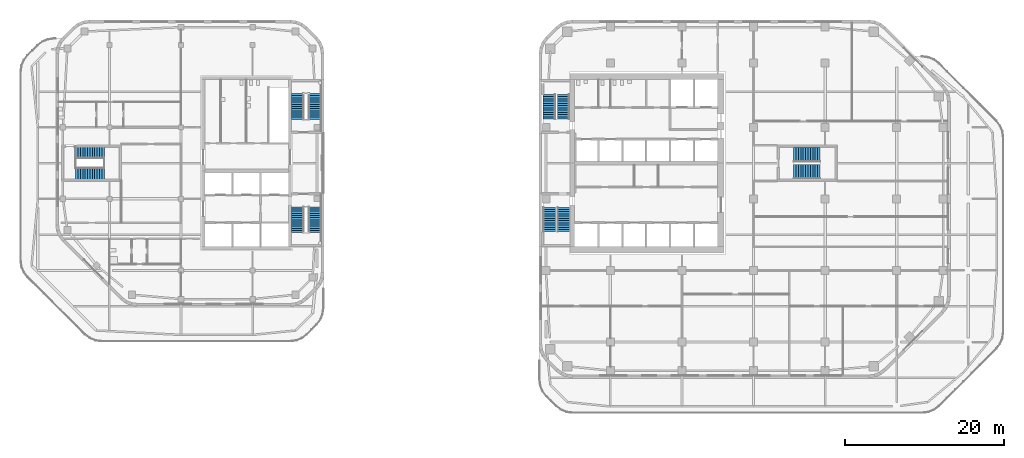
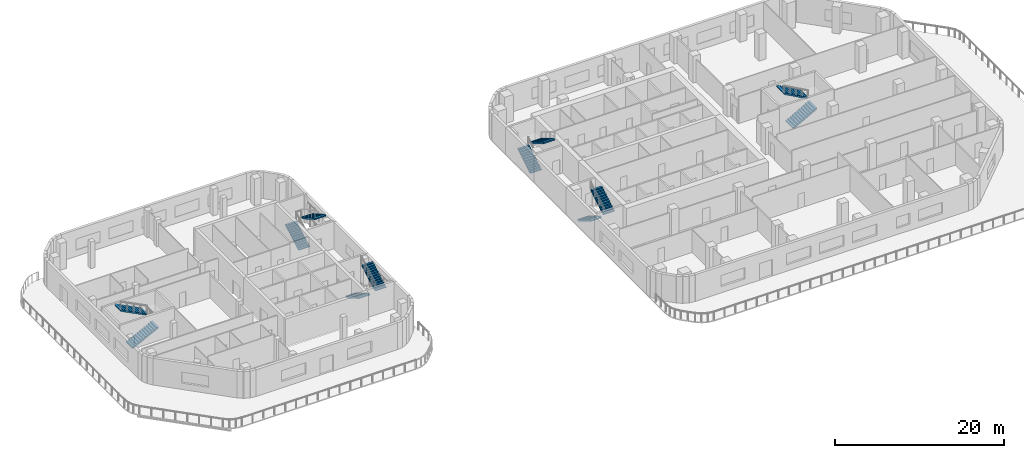
# One storey, part 12 of 15: 12 stair flights, 6 elements without a shape of their own.
"""IFC4 building model written with IfcOpenShell, lengths in metres."""

import ifcopenshell
import ifcopenshell.guid

model = None  # the IFC model being written
_history = None  # IfcOwnerHistory: only IFC2X3 demands one
_inside = {}  # id of a spatial element -> (the spatial element, [elements in it])
_under = {}  # id of a project, library or spatial element -> (it, [spatial elements below it])
_declared = {}  # id of a project -> (the project, [libraries it declares])
_typed = {}  # id of a type object -> (the type object, [elements of that type])
_made_of = {}  # id of a material, layer set ... -> (it, [elements and type objects made of it])


def new_model(schema):
    """Start an empty IFC model of exactly this schema.

    Asked for "IFC4X3", IfcOpenShell would pick the latest addendum, in which some entities
    have other attributes; the version numbers below select the first issue.
    IFC2X3 requires an IfcOwnerHistory on every rooted entity: one is made here for all.
    """
    global model, _history
    if schema == "IFC4X3":
        model = ifcopenshell.file(schema_version=(4, 3, 0, 0))
    else:
        model = ifcopenshell.file(schema=schema)
    _inside.clear()
    _under.clear()
    _declared.clear()
    _typed.clear()
    _made_of.clear()
    _history = None
    if model.schema == "IFC2X3":
        org = make("IfcOrganization", Name="unknown")
        user = make(
            "IfcPersonAndOrganization",
            ThePerson=make("IfcPerson", FamilyName="unknown"),
            TheOrganization=org,
        )
        app = make(
            "IfcApplication",
            ApplicationDeveloper=org,
            Version="unknown",
            ApplicationFullName="unknown",
            ApplicationIdentifier="unknown",
        )
        _history = make(
            "IfcOwnerHistory",
            OwningUser=user,
            OwningApplication=app,
            ChangeAction="ADDED",
            CreationDate=0,
        )
    return model


def make(cls, **values):
    """One entity of the class cls with the attributes given. An attribute that is None is left unset."""
    return model.create_entity(
        cls, **{name: value for name, value in values.items() if value is not None}
    )


def rooted(cls, **values):
    """An entity with a GlobalId (a new one), such as an element, a storey or a relation."""
    return make(cls, GlobalId=ifcopenshell.guid.new(), OwnerHistory=_history, **values)


def si_unit(unit_type, name, prefix=None):
    """IfcSIUnit, for example si_unit("LENGTHUNIT", "METRE", prefix="MILLI")."""
    return make("IfcSIUnit", UnitType=unit_type, Prefix=prefix, Name=name)


def assignment(units):
    """IfcUnitAssignment: the units of a project."""
    return None if units is None else make("IfcUnitAssignment", Units=units)


def point(xyz):
    """IfcCartesianPoint."""
    return None if xyz is None else make("IfcCartesianPoint", Coordinates=xyz)


def direction(xyz):
    """IfcDirection."""
    return None if xyz is None else make("IfcDirection", DirectionRatios=xyz)


def frame(location, z_axis=None, x_axis=None):
    """IfcAxis2Placement3D, a coordinate frame: its origin and axes. An axis left out is left unset."""
    return make(
        "IfcAxis2Placement3D",
        Location=point(location),
        Axis=direction(z_axis),
        RefDirection=direction(x_axis),
    )


def origin():
    """The frame at (0, 0, 0) with its axes left unset."""
    return frame((0.0, 0.0, 0.0))


def place(relative_to, where):
    """IfcLocalPlacement: puts the frame where relative to a parent placement (None: the world)."""
    return make(
        "IfcLocalPlacement", PlacementRelTo=relative_to, RelativePlacement=where
    )


def context(
    kind, dimensions, precision=None, world=None, true_north=None, identifier=None
):
    """IfcGeometricRepresentationContext, for example the 3D "Model" context."""
    return make(
        "IfcGeometricRepresentationContext",
        ContextIdentifier=identifier,
        ContextType=kind,
        CoordinateSpaceDimension=dimensions,
        Precision=precision,
        WorldCoordinateSystem=world,
        TrueNorth=true_north,
    )


def subcontext(parent, identifier, kind, view, scale=None):
    """IfcGeometricRepresentationSubContext, for example "Body" below "Model"."""
    return make(
        "IfcGeometricRepresentationSubContext",
        ContextIdentifier=identifier,
        ContextType=kind,
        ParentContext=parent,
        TargetScale=scale,
        TargetView=view,
    )


def project(units=None, contexts=None):
    """IfcProject with its units and contexts."""
    return rooted(
        "IfcProject",
        Name="project",
        RepresentationContexts=contexts,
        UnitsInContext=assignment(units),
    )


def spatial(cls, under=None, at=None, **own):
    """A site, building, storey or space (cls), placed at a placement, below another one or the project."""
    s = rooted(cls, ObjectPlacement=at, **own)
    if under is not None:
        _under.setdefault(under.id(), (under, []))[1].append(s)
    return s


def polyline(points):
    """IfcPolyline through the points."""
    return make("IfcPolyline", Points=[point(p) for p in points])


def outline(outer, holes=None, kind="AREA"):
    """IfcArbitraryClosedProfileDef: a profile drawn as a closed curve; with holes, ...WithVoids."""
    if holes is None:
        return make("IfcArbitraryClosedProfileDef", ProfileType=kind, OuterCurve=outer)
    return make(
        "IfcArbitraryProfileDefWithVoids",
        ProfileType=kind,
        OuterCurve=outer,
        InnerCurves=holes,
    )


def extrude(swept, where, along, depth):
    """IfcExtrudedAreaSolid: the profile swept, set in the frame where, extruded along a direction by depth."""
    return make(
        "IfcExtrudedAreaSolid",
        SweptArea=swept,
        Position=where,
        ExtrudedDirection=direction(along),
        Depth=depth,
    )


def shape(context_of_items, identifier, shape_type, items):
    """IfcShapeRepresentation: the items that make up one representation, for example the "Body"."""
    return make(
        "IfcShapeRepresentation",
        ContextOfItems=context_of_items,
        RepresentationIdentifier=identifier,
        RepresentationType=shape_type,
        Items=items,
    )


def material(Name=None, Category=None):
    """IfcMaterial."""
    return make("IfcMaterial", Name=Name, Category=Category)


def made_of(thing, what):
    """Note that an element or type object is made of a material, layer set ...; save() writes the relation."""
    if what is not None:
        _made_of.setdefault(what.id(), (what, []))[1].append(thing)
    return thing


def type_object(cls, material=None, **own):
    """A type object (cls), such as IfcWallType, which elements share."""
    return made_of(rooted(cls, **own), material)


def element(
    cls,
    number,
    at=None,
    inside=None,
    cuts=None,
    type_object=None,
    material=None,
    context=None,
    identifier="Body",
    shape_type=None,
    held_by="IfcProductDefinitionShape",
    body=None,
    shapes=None,
    **own,
):
    """One element of the class cls, such as IfcWall. Its Tag is "e" and its number.

    at: its placement. inside: the storey or other place that contains it. cuts: it is an
    opening in that element (IfcRelVoidsElement). A single representation is given by context,
    identifier, shape_type and body (its items); several are given by shapes. held_by: the class
    of the entity that holds the representations. save() writes the other relations.
    """
    e = rooted(cls, Tag="e%d" % number, ObjectPlacement=at, **own)
    if body is not None:
        shapes = [shape(context, identifier, shape_type, body)]
    if shapes is not None:
        e.Representation = make(held_by, Representations=shapes)
    if inside is not None:
        _inside.setdefault(inside.id(), (inside, []))[1].append(e)
    if cuts is not None:
        rooted(
            "IfcRelVoidsElement", RelatingBuildingElement=cuts, RelatedOpeningElement=e
        )
    if type_object is not None:
        _typed.setdefault(type_object.id(), (type_object, []))[1].append(e)
    return made_of(e, material)


def aggregate(whole, parts):
    """IfcRelAggregates: a whole, such as a stair, and the parts it consists of."""
    return rooted("IfcRelAggregates", RelatingObject=whole, RelatedObjects=parts)


def save(model, path):
    """Write the relations noted so far, then the file.

    IfcRelAggregates (storeys below a building ...), IfcRelContainedInSpatialStructure (elements
    in a storey), IfcRelDefinesByType, IfcRelAssociatesMaterial and IfcRelDeclares: one each for
    every whole, place, type object, material and project.
    """
    for whole, parts in _under.values():
        aggregate(whole, parts)
    for where, things in _inside.values():
        rooted(
            "IfcRelContainedInSpatialStructure",
            RelatedElements=things,
            RelatingStructure=where,
        )
    for kind, things in _typed.values():
        rooted("IfcRelDefinesByType", RelatedObjects=things, RelatingType=kind)
    for what, things in _made_of.values():
        rooted("IfcRelAssociatesMaterial", RelatedObjects=things, RelatingMaterial=what)
    for by, libraries in _declared.values():
        rooted("IfcRelDeclares", RelatingContext=by, RelatedDefinitions=libraries)
    model.write(path)


model = new_model("IFC4")

# Units and contexts
model_context = context("Model", 3, precision=1e-05, world=origin(), true_north=direction((0.0, 1.0)))
body_context = subcontext(model_context, "Body", "Model", "MODEL_VIEW")
ifc_project = project(units=[si_unit("LENGTHUNIT", "METRE"), si_unit("AREAUNIT", "SQUARE_METRE"), si_unit("VOLUMEUNIT", "CUBIC_METRE"), si_unit("PLANEANGLEUNIT", "RADIAN"), si_unit("MASSUNIT", "GRAM", prefix="KILO")], contexts=[model_context])

# Site, building, storey
site_placement = place(None, origin())
site = spatial("IfcSite", under=ifc_project, at=site_placement, CompositionType="ELEMENT")
building_placement = place(site_placement, origin())
building = spatial("IfcBuilding", under=site, at=building_placement, Name="Cinnabar Reach Civic Tower", CompositionType="ELEMENT")
storey_placement = place(building_placement, frame((0.0, 0.0, 100.0)))
storey = spatial("IfcBuildingStorey", under=building, at=storey_placement, Name="L23", CompositionType="ELEMENT", Elevation=100.0)

# Stair, stair flights
ifc_material_1 = material(Name="Concrete C40/50", Category="concrete")
stair_type_1 = type_object("IfcStairType", Name="T1 Exit stair, half-turn", PredefinedType="HALF_TURN_STAIR", material=ifc_material_1)
stair_1_placement = place(storey_placement, origin())
stair_1 = element("IfcStair", 1, at=stair_1_placement, inside=storey, type_object=stair_type_1, Name="Stair T1-S1", PredefinedType="HALF_TURN_STAIR")
stair_flight_type_1 = type_object("IfcStairFlightType", Name="T1 Stair flight, concrete", PredefinedType="STRAIGHT", material=ifc_material_1)
stair_flight_1_placement = place(storey_placement, frame((1.3125, 25.95, 0.0), z_axis=(0.0, 0.0, 1.0), x_axis=(0.0, -1.0, 0.0)))
stair_flight_1 = element("IfcStairFlight", 2, at=stair_flight_1_placement, type_object=stair_flight_type_1, Name="T1-S1 flight 1", NumberOfRisers=12, NumberOfTreads=11, PredefinedType="STRAIGHT", RiserHeight=0.166666667, TreadLength=0.28, context=body_context, shape_type="SweptSolid", body=[
    extrude(outline(polyline([(0.0, 0.0), (0.0, 0.1667), (0.28, 0.1667), (0.28, 0.3333), (0.56, 0.3333), (0.56, 0.5), (0.84, 0.5), (0.84, 0.6667), (1.12, 0.6667), (1.12, 0.8333), (1.4, 0.8333), (1.4, 1.0), (1.68, 1.0), (1.68, 1.1667), (1.96, 1.1667), (1.96, 1.3333), (2.24, 1.3333), (2.24, 1.5), (2.52, 1.5), (2.52, 1.6667), (2.8, 1.6667), (2.8, 1.8333), (3.08, 1.8333), (3.08, 2.0), (3.08, 1.6588), (0.2933, 0.0), (0.0, 0.0)])), frame((0.0, 0.7625, 0.0), z_axis=(0.0, -1.0, 0.0), x_axis=(1.0, 0.0, 0.0)), (0.0, 0.0, 1.0), 1.525),
])
stair_flight_2_placement = place(storey_placement, frame((3.0875, 22.87, 2.0), z_axis=(0.0, 0.0, 1.0), x_axis=(0.0, 1.0, 0.0)))
stair_flight_2 = element("IfcStairFlight", 3, at=stair_flight_2_placement, type_object=stair_flight_type_1, Name="T1-S1 flight 2", NumberOfRisers=12, NumberOfTreads=11, PredefinedType="STRAIGHT", RiserHeight=0.166666667, TreadLength=0.28, context=body_context, shape_type="SweptSolid", body=[
    extrude(outline(polyline([(0.0, 0.0), (0.0, 0.1667), (0.28, 0.1667), (0.28, 0.3333), (0.56, 0.3333), (0.56, 0.5), (0.84, 0.5), (0.84, 0.6667), (1.12, 0.6667), (1.12, 0.8333), (1.4, 0.8333), (1.4, 1.0), (1.68, 1.0), (1.68, 1.1667), (1.96, 1.1667), (1.96, 1.3333), (2.24, 1.3333), (2.24, 1.5), (2.52, 1.5), (2.52, 1.6667), (2.8, 1.6667), (2.8, 1.8333), (3.08, 1.8333), (3.08, 2.0), (3.08, 1.6588), (0.2933, 0.0), (0.0, 0.0)])), frame((0.0, 0.7625, 0.0), z_axis=(0.0, -1.0, 0.0), x_axis=(1.0, 0.0, 0.0)), (0.0, 0.0, 1.0), 1.525),
])
aggregate(stair_1, [stair_flight_1, stair_flight_2])

stair_2_placement = place(storey_placement, origin())
stair_2 = element("IfcStair", 4, at=stair_2_placement, inside=storey, type_object=stair_type_1, Name="Stair T1-S2", PredefinedType="HALF_TURN_STAIR")
stair_flight_3_placement = place(storey_placement, frame((1.3125, 37.05, 0.0), z_axis=(0.0, 0.0, 1.0), x_axis=(0.0, 1.0, 0.0)))
stair_flight_3 = element("IfcStairFlight", 5, at=stair_flight_3_placement, type_object=stair_flight_type_1, Name="T1-S2 flight 1", NumberOfRisers=12, NumberOfTreads=11, PredefinedType="STRAIGHT", RiserHeight=0.166666667, TreadLength=0.28, context=body_context, shape_type="SweptSolid", body=[
    extrude(outline(polyline([(0.0, 0.0), (0.0, 0.1667), (0.28, 0.1667), (0.28, 0.3333), (0.56, 0.3333), (0.56, 0.5), (0.84, 0.5), (0.84, 0.6667), (1.12, 0.6667), (1.12, 0.8333), (1.4, 0.8333), (1.4, 1.0), (1.68, 1.0), (1.68, 1.1667), (1.96, 1.1667), (1.96, 1.3333), (2.24, 1.3333), (2.24, 1.5), (2.52, 1.5), (2.52, 1.6667), (2.8, 1.6667), (2.8, 1.8333), (3.08, 1.8333), (3.08, 2.0), (3.08, 1.6588), (0.2933, 0.0), (0.0, 0.0)])), frame((0.0, 0.7625, 0.0), z_axis=(0.0, -1.0, 0.0), x_axis=(1.0, 0.0, 0.0)), (0.0, 0.0, 1.0), 1.525),
])
stair_flight_4_placement = place(storey_placement, frame((3.0875, 40.13, 2.0), z_axis=(0.0, 0.0, 1.0), x_axis=(0.0, -1.0, 0.0)))
stair_flight_4 = element("IfcStairFlight", 6, at=stair_flight_4_placement, type_object=stair_flight_type_1, Name="T1-S2 flight 2", NumberOfRisers=12, NumberOfTreads=11, PredefinedType="STRAIGHT", RiserHeight=0.166666667, TreadLength=0.28, context=body_context, shape_type="SweptSolid", body=[
    extrude(outline(polyline([(0.0, 0.0), (0.0, 0.1667), (0.28, 0.1667), (0.28, 0.3333), (0.56, 0.3333), (0.56, 0.5), (0.84, 0.5), (0.84, 0.6667), (1.12, 0.6667), (1.12, 0.8333), (1.4, 0.8333), (1.4, 1.0), (1.68, 1.0), (1.68, 1.1667), (1.96, 1.1667), (1.96, 1.3333), (2.24, 1.3333), (2.24, 1.5), (2.52, 1.5), (2.52, 1.6667), (2.8, 1.6667), (2.8, 1.8333), (3.08, 1.8333), (3.08, 2.0), (3.08, 1.6588), (0.2933, 0.0), (0.0, 0.0)])), frame((0.0, 0.7625, 0.0), z_axis=(0.0, -1.0, 0.0), x_axis=(1.0, 0.0, 0.0)), (0.0, 0.0, 1.0), 1.525),
])
aggregate(stair_2, [stair_flight_3, stair_flight_4])

stair_3_placement = place(storey_placement, origin())
stair_3 = element("IfcStair", 7, at=stair_3_placement, inside=storey, type_object=stair_type_1, Name="Stair T1-S3", PredefinedType="HALF_TURN_STAIR")
stair_flight_5_placement = place(storey_placement, frame((32.05, 30.45, 0.0), z_axis=(0.0, 0.0, 1.0), x_axis=(1.0, 0.0, 0.0)))
stair_flight_5 = element("IfcStairFlight", 8, at=stair_flight_5_placement, type_object=stair_flight_type_1, Name="T1-S3 flight 1", NumberOfRisers=12, NumberOfTreads=11, PredefinedType="STRAIGHT", RiserHeight=0.166666667, TreadLength=0.3, context=body_context, shape_type="SweptSolid", body=[
    extrude(outline(polyline([(0.0, 0.0), (0.0, 0.1667), (0.3, 0.1667), (0.3, 0.3333), (0.6, 0.3333), (0.6, 0.5), (0.9, 0.5), (0.9, 0.6667), (1.2, 0.6667), (1.2, 0.8333), (1.5, 0.8333), (1.5, 1.0), (1.8, 1.0), (1.8, 1.1667), (2.1, 1.1667), (2.1, 1.3333), (2.4, 1.3333), (2.4, 1.5), (2.7, 1.5), (2.7, 1.6667), (3.0, 1.6667), (3.0, 1.8333), (3.3, 1.8333), (3.3, 2.0), (3.3, 1.6617), (0.3089, 0.0), (0.0, 0.0)])), frame((0.0, 0.9, 0.0), z_axis=(0.0, -1.0, 0.0), x_axis=(1.0, 0.0, 0.0)), (0.0, 0.0, 1.0), 1.8),
])
stair_flight_6_placement = place(storey_placement, frame((35.35, 32.55, 2.0), z_axis=(0.0, 0.0, 1.0), x_axis=(-1.0, 0.0, 0.0)))
stair_flight_6 = element("IfcStairFlight", 9, at=stair_flight_6_placement, type_object=stair_flight_type_1, Name="T1-S3 flight 2", NumberOfRisers=12, NumberOfTreads=11, PredefinedType="STRAIGHT", RiserHeight=0.166666667, TreadLength=0.3, context=body_context, shape_type="SweptSolid", body=[
    extrude(outline(polyline([(0.0, 0.0), (0.0, 0.1667), (0.3, 0.1667), (0.3, 0.3333), (0.6, 0.3333), (0.6, 0.5), (0.9, 0.5), (0.9, 0.6667), (1.2, 0.6667), (1.2, 0.8333), (1.5, 0.8333), (1.5, 1.0), (1.8, 1.0), (1.8, 1.1667), (2.1, 1.1667), (2.1, 1.3333), (2.4, 1.3333), (2.4, 1.5), (2.7, 1.5), (2.7, 1.6667), (3.0, 1.6667), (3.0, 1.8333), (3.3, 1.8333), (3.3, 2.0), (3.3, 1.6617), (0.3089, 0.0), (0.0, 0.0)])), frame((0.0, 0.9, 0.0), z_axis=(0.0, -1.0, 0.0), x_axis=(1.0, 0.0, 0.0)), (0.0, 0.0, 1.0), 1.8),
])
aggregate(stair_3, [stair_flight_5, stair_flight_6])

ifc_material_2 = material(Name="Concrete C40", Category="concrete")
stair_type_2 = type_object("IfcStairType", Name="T2 Exit stair 1500", PredefinedType="HALF_TURN_STAIR", material=ifc_material_2)
stair_4_placement = place(storey_placement, origin())
stair_4 = element("IfcStair", 10, at=stair_4_placement, inside=storey, type_object=stair_type_2, Name="Exit stair 1", PredefinedType="HALF_TURN_STAIR")
stair_flight_type_2 = type_object("IfcStairFlightType", Name="T2 Stair flight 1500", PredefinedType="STRAIGHT", material=ifc_material_2)
stair_flight_7_placement = place(storey_placement, frame((-30.35, 26.0, 0.0), z_axis=(0.0, 0.0, 1.0), x_axis=(0.0, -1.0, 0.0)))
stair_flight_7 = element("IfcStairFlight", 11, at=stair_flight_7_placement, type_object=stair_flight_type_2, Name="ST1 flight 1", NumberOfRisers=13, NumberOfTreads=12, PredefinedType="STRAIGHT", RiserHeight=0.153846154, TreadLength=0.270833333, context=body_context, shape_type="SweptSolid", body=[
    extrude(outline(polyline([(0.0, 0.0), (0.0, 0.1538), (0.2708, 0.1538), (0.2708, 0.3077), (0.5417, 0.3077), (0.5417, 0.4615), (0.8125, 0.4615), (0.8125, 0.6154), (1.0833, 0.6154), (1.0833, 0.7692), (1.3542, 0.7692), (1.3542, 0.9231), (1.625, 0.9231), (1.625, 1.0769), (1.8958, 1.0769), (1.8958, 1.2308), (2.1667, 1.2308), (2.1667, 1.3846), (2.4375, 1.3846), (2.4375, 1.5385), (2.7083, 1.5385), (2.7083, 1.6923), (2.9792, 1.6923), (2.9792, 1.8462), (3.25, 1.8462), (3.25, 2.0), (3.25, 1.6736), (0.3037, 0.0), (0.0, 0.0)])), frame((0.0, 0.75, 0.0), z_axis=(0.0, -1.0, 0.0), x_axis=(1.0, 0.0, 0.0)), (0.0, 0.0, 1.0), 1.5),
])
stair_flight_8_placement = place(storey_placement, frame((-28.15, 22.75, 2.0), z_axis=(0.0, 0.0, 1.0), x_axis=(0.0, 1.0, 0.0)))
stair_flight_8 = element("IfcStairFlight", 12, at=stair_flight_8_placement, type_object=stair_flight_type_2, Name="ST1 flight 2", NumberOfRisers=13, NumberOfTreads=12, PredefinedType="STRAIGHT", RiserHeight=0.153846154, TreadLength=0.270833333, context=body_context, shape_type="SweptSolid", body=[
    extrude(outline(polyline([(0.0, 0.0), (0.0, 0.1538), (0.2708, 0.1538), (0.2708, 0.3077), (0.5417, 0.3077), (0.5417, 0.4615), (0.8125, 0.4615), (0.8125, 0.6154), (1.0833, 0.6154), (1.0833, 0.7692), (1.3542, 0.7692), (1.3542, 0.9231), (1.625, 0.9231), (1.625, 1.0769), (1.8958, 1.0769), (1.8958, 1.2308), (2.1667, 1.2308), (2.1667, 1.3846), (2.4375, 1.3846), (2.4375, 1.5385), (2.7083, 1.5385), (2.7083, 1.6923), (2.9792, 1.6923), (2.9792, 1.8462), (3.25, 1.8462), (3.25, 2.0), (3.25, 1.6736), (0.3037, 0.0), (0.0, 0.0)])), frame((0.0, 0.75, 0.0), z_axis=(0.0, -1.0, 0.0), x_axis=(1.0, 0.0, 0.0)), (0.0, 0.0, 1.0), 1.5),
])
aggregate(stair_4, [stair_flight_7, stair_flight_8])

stair_5_placement = place(storey_placement, origin())
stair_5 = element("IfcStair", 13, at=stair_5_placement, inside=storey, type_object=stair_type_2, Name="Exit stair 2", PredefinedType="HALF_TURN_STAIR")
stair_flight_9_placement = place(storey_placement, frame((-30.35, 37.0, 0.0), z_axis=(0.0, 0.0, 1.0), x_axis=(0.0, 1.0, 0.0)))
stair_flight_9 = element("IfcStairFlight", 14, at=stair_flight_9_placement, type_object=stair_flight_type_2, Name="ST2 flight 1", NumberOfRisers=13, NumberOfTreads=12, PredefinedType="STRAIGHT", RiserHeight=0.153846154, TreadLength=0.270833333, context=body_context, shape_type="SweptSolid", body=[
    extrude(outline(polyline([(0.0, 0.0), (0.0, 0.1538), (0.2708, 0.1538), (0.2708, 0.3077), (0.5417, 0.3077), (0.5417, 0.4615), (0.8125, 0.4615), (0.8125, 0.6154), (1.0833, 0.6154), (1.0833, 0.7692), (1.3542, 0.7692), (1.3542, 0.9231), (1.625, 0.9231), (1.625, 1.0769), (1.8958, 1.0769), (1.8958, 1.2308), (2.1667, 1.2308), (2.1667, 1.3846), (2.4375, 1.3846), (2.4375, 1.5385), (2.7083, 1.5385), (2.7083, 1.6923), (2.9792, 1.6923), (2.9792, 1.8462), (3.25, 1.8462), (3.25, 2.0), (3.25, 1.6736), (0.3037, 0.0), (0.0, 0.0)])), frame((0.0, 0.75, 0.0), z_axis=(0.0, -1.0, 0.0), x_axis=(1.0, 0.0, 0.0)), (0.0, 0.0, 1.0), 1.5),
])
stair_flight_10_placement = place(storey_placement, frame((-28.15, 40.25, 2.0), z_axis=(0.0, 0.0, 1.0), x_axis=(0.0, -1.0, 0.0)))
stair_flight_10 = element("IfcStairFlight", 15, at=stair_flight_10_placement, type_object=stair_flight_type_2, Name="ST2 flight 2", NumberOfRisers=13, NumberOfTreads=12, PredefinedType="STRAIGHT", RiserHeight=0.153846154, TreadLength=0.270833333, context=body_context, shape_type="SweptSolid", body=[
    extrude(outline(polyline([(0.0, 0.0), (0.0, 0.1538), (0.2708, 0.1538), (0.2708, 0.3077), (0.5417, 0.3077), (0.5417, 0.4615), (0.8125, 0.4615), (0.8125, 0.6154), (1.0833, 0.6154), (1.0833, 0.7692), (1.3542, 0.7692), (1.3542, 0.9231), (1.625, 0.9231), (1.625, 1.0769), (1.8958, 1.0769), (1.8958, 1.2308), (2.1667, 1.2308), (2.1667, 1.3846), (2.4375, 1.3846), (2.4375, 1.5385), (2.7083, 1.5385), (2.7083, 1.6923), (2.9792, 1.6923), (2.9792, 1.8462), (3.25, 1.8462), (3.25, 2.0), (3.25, 1.6736), (0.3037, 0.0), (0.0, 0.0)])), frame((0.0, 0.75, 0.0), z_axis=(0.0, -1.0, 0.0), x_axis=(1.0, 0.0, 0.0)), (0.0, 0.0, 1.0), 1.5),
])
aggregate(stair_5, [stair_flight_9, stair_flight_10])

stair_6_placement = place(storey_placement, origin())
stair_6 = element("IfcStair", 16, at=stair_6_placement, inside=storey, type_object=stair_type_2, Name="Exit stair 3", PredefinedType="HALF_TURN_STAIR")
stair_flight_11_placement = place(storey_placement, frame((-58.25, 30.125, 0.0), z_axis=(0.0, 0.0, 1.0), x_axis=(1.0, 0.0, 0.0)))
stair_flight_11 = element("IfcStairFlight", 17, at=stair_flight_11_placement, type_object=stair_flight_type_2, Name="ST3 flight 1", NumberOfRisers=13, NumberOfTreads=12, PredefinedType="STRAIGHT", RiserHeight=0.153846154, TreadLength=0.3, context=body_context, shape_type="SweptSolid", body=[
    extrude(outline(polyline([(0.0, 0.0), (0.0, 0.1538), (0.3, 0.1538), (0.3, 0.3077), (0.6, 0.3077), (0.6, 0.4615), (0.9, 0.4615), (0.9, 0.6154), (1.2, 0.6154), (1.2, 0.7692), (1.5, 0.7692), (1.5, 0.9231), (1.8, 0.9231), (1.8, 1.0769), (2.1, 1.0769), (2.1, 1.2308), (2.4, 1.2308), (2.4, 1.3846), (2.7, 1.3846), (2.7, 1.5385), (3.0, 1.5385), (3.0, 1.6923), (3.3, 1.6923), (3.3, 1.8462), (3.6, 1.8462), (3.6, 2.0), (3.6, 1.6776), (0.3287, 0.0), (0.0, 0.0)])), frame((0.0, 0.75, 0.0), z_axis=(0.0, -1.0, 0.0), x_axis=(1.0, 0.0, 0.0)), (0.0, 0.0, 1.0), 1.5),
])
stair_flight_12_placement = place(storey_placement, frame((-54.65, 32.875, 2.0), z_axis=(0.0, 0.0, 1.0), x_axis=(-1.0, 0.0, 0.0)))
stair_flight_12 = element("IfcStairFlight", 18, at=stair_flight_12_placement, type_object=stair_flight_type_2, Name="ST3 flight 2", NumberOfRisers=13, NumberOfTreads=12, PredefinedType="STRAIGHT", RiserHeight=0.153846154, TreadLength=0.3, context=body_context, shape_type="SweptSolid", body=[
    extrude(outline(polyline([(0.0, 0.0), (0.0, 0.1538), (0.3, 0.1538), (0.3, 0.3077), (0.6, 0.3077), (0.6, 0.4615), (0.9, 0.4615), (0.9, 0.6154), (1.2, 0.6154), (1.2, 0.7692), (1.5, 0.7692), (1.5, 0.9231), (1.8, 0.9231), (1.8, 1.0769), (2.1, 1.0769), (2.1, 1.2308), (2.4, 1.2308), (2.4, 1.3846), (2.7, 1.3846), (2.7, 1.5385), (3.0, 1.5385), (3.0, 1.6923), (3.3, 1.6923), (3.3, 1.8462), (3.6, 1.8462), (3.6, 2.0), (3.6, 1.6776), (0.3287, 0.0), (0.0, 0.0)])), frame((0.0, 0.75, 0.0), z_axis=(0.0, -1.0, 0.0), x_axis=(1.0, 0.0, 0.0)), (0.0, 0.0, 1.0), 1.5),
])
aggregate(stair_6, [stair_flight_11, stair_flight_12])

save(model, "model.ifc")
